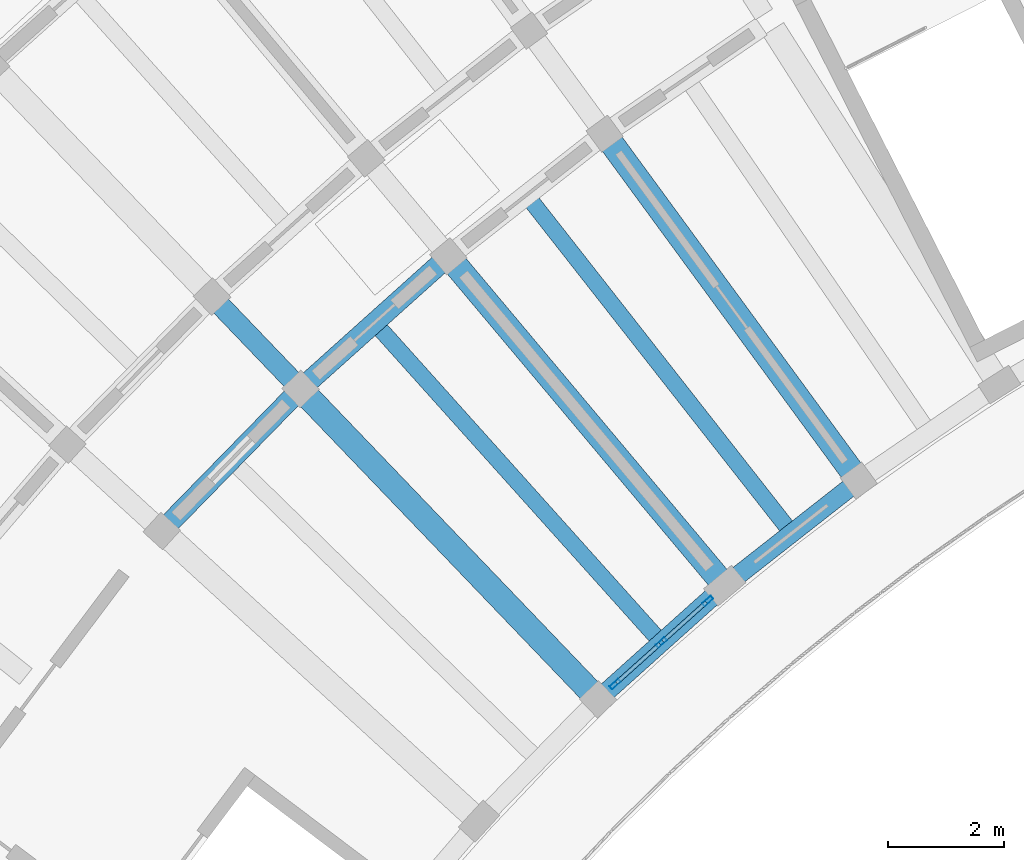
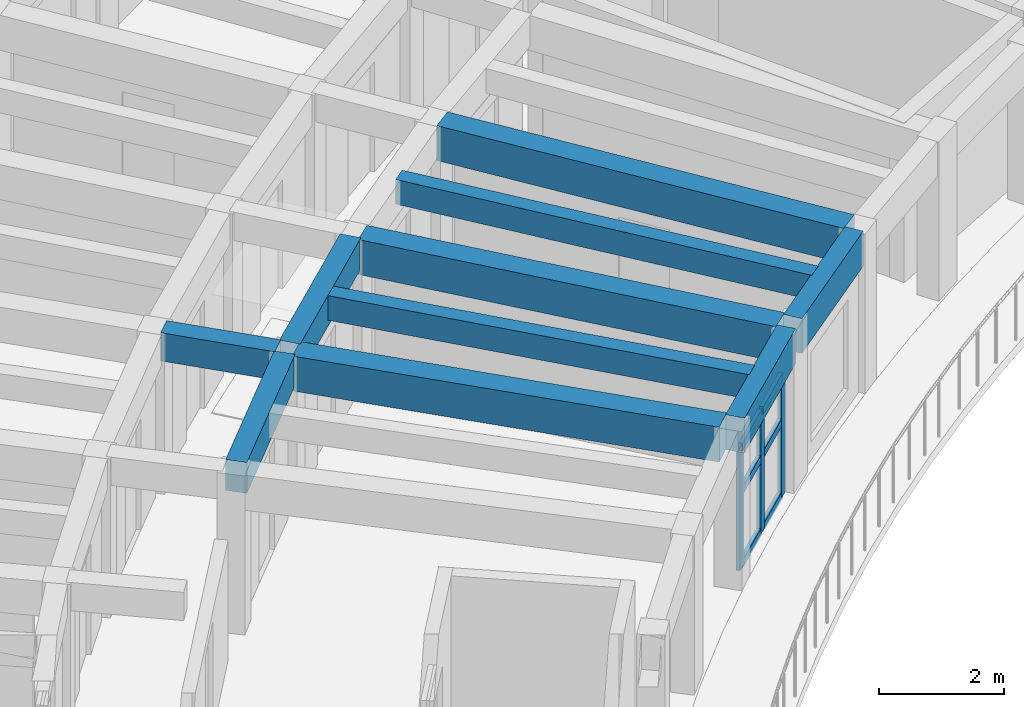
# One storey, part 2 of 9: 10 beams, 9 members, 1 element without a shape of its own.
"""IFC4 building model written with IfcOpenShell, lengths in metres."""

from ifc_helpers import new_model, si_unit, direction, frame, origin, origin_2d, place, context, subcontext, project, spatial, rectangle, hollow_rectangle, extrude, material, material_profile, profile_set, type_object, element, aggregate, save


model = new_model("IFC4")

# Units and contexts
model_context = context("Model", 3, precision=1e-05, world=origin(), true_north=direction((0.0, 1.0)))
body_context = subcontext(model_context, "Body", "Model", "MODEL_VIEW")
ifc_project = project(units=[si_unit("LENGTHUNIT", "METRE"), si_unit("AREAUNIT", "SQUARE_METRE"), si_unit("VOLUMEUNIT", "CUBIC_METRE"), si_unit("PLANEANGLEUNIT", "RADIAN"), si_unit("MASSUNIT", "GRAM", prefix="KILO")], contexts=[model_context])

# Site, building, storey
site_placement = place(None, origin())
site = spatial("IfcSite", under=ifc_project, at=site_placement, CompositionType="ELEMENT")
building_placement = place(site_placement, origin())
building = spatial("IfcBuilding", under=site, at=building_placement, Name="Tanwirah Colonnade Gardens", CompositionType="ELEMENT")
storey_placement = place(building_placement, frame((0.0, 0.0, 49.159912109375)))
storey = spatial("IfcBuildingStorey", under=building, at=storey_placement, Name="L14", CompositionType="ELEMENT", Elevation=49.159912109375)

# Beams
ifc_material_1 = material(Name="Precast concrete C40/50", Category="concrete")
ifc_material_profile_1 = material_profile(ifc_material_1, rectangle(XDim=0.35009765625, YDim=0.550048828125, at=origin_2d()), Name="PC-BM 350x550")
ifc_profile_set_1 = profile_set([ifc_material_profile_1], Name="Precast concrete C40/50")
beam_type_1 = type_object("IfcBeamType", Name="BM-PC350A", PredefinedType="BEAM", material=ifc_profile_set_1)
beam_1_placement = place(storey_placement, frame((29.023193359375, 97.74560546875, 2.8251953125), z_axis=(-0.691913735329, 0.721980181766, 0.0), x_axis=(-0.721980181766, -0.691913735329, 0.0)))
element("IfcBeam", 1, at=beam_1_placement, inside=storey, type_object=beam_type_1, Name="Block A L14 Corridor Tie Beam 10", PredefinedType="BEAM", context=body_context, shape_type="SweptSolid", body=[
    extrude(rectangle(XDim=0.35009765625, YDim=0.550048828125, at=origin_2d()), origin(), (0.0, 0.0, 1.0), 1.900146484375),
])
ifc_material_profile_2 = material_profile(ifc_material_1, rectangle(XDim=0.35009765625, YDim=0.60009765625, at=origin_2d()), Name="PC-BM 350x600")
ifc_profile_set_2 = profile_set([ifc_material_profile_2], Name="Precast concrete C40/50")
beam_type_2 = type_object("IfcBeamType", Name="BM-PC350B", PredefinedType="BEAM", material=ifc_profile_set_2)
beam_2_placement = place(storey_placement, frame((31.559814453125, 99.8193359375, 2.800048828125), z_axis=(-0.744429866059, -0.667700662363, 0.0), x_axis=(0.667700662363, -0.744429866059, 0.0)))
element("IfcBeam", 2, at=beam_2_placement, inside=storey, type_object=beam_type_2, Name="Block A L14 Circumferential Beam 9-R1", PredefinedType="BEAM", context=body_context, shape_type="SweptSolid", body=[
    extrude(rectangle(XDim=0.35009765625, YDim=0.60009765625, at=origin_2d()), origin(), (0.0, 0.0, 1.0), 3.1181640625),
])
beam_3_placement = place(storey_placement, frame((29.02197265625, 97.52978515625, 2.800048828125), z_axis=(-0.698837366631, -0.715280598787, 0.0), x_axis=(0.715280598787, -0.698837366631, 0.0)))
element("IfcBeam", 3, at=beam_3_placement, inside=storey, type_object=beam_type_2, Name="Block A L14 Circumferential Beam 10-R1", PredefinedType="BEAM", context=body_context, shape_type="SweptSolid", body=[
    extrude(rectangle(XDim=0.35009765625, YDim=0.60009765625, at=origin_2d()), origin(), (0.0, 0.0, 1.0), 3.117919921875),
])
ifc_material_2 = material(Name="Precast concrete C45/55", Category="concrete")
ifc_material_profile_3 = material_profile(ifc_material_2, rectangle(XDim=0.419921875, YDim=0.679931640625, at=origin_2d()), Name="PC-BM 420x680")
ifc_profile_set_3 = profile_set([ifc_material_profile_3], Name="Precast concrete C45/55")
beam_type_3 = type_object("IfcBeamType", Name="BM-PC420", PredefinedType="BEAM", material=ifc_profile_set_3)
for number, where, z_axis, x_axis, name in (
    (4, (34.449462890625, 101.907958984375, 2.760009765625), (0.590922322036, -0.80672846071, 0.0), (0.80672846071, 0.590922322036, 0.0), "Block A L14 Inner Radial Precast Girder 8"),
    (5, (31.767822265625, 99.804443359375, 2.760009765625), (0.642798473853, -0.76603532687, 0.0), (0.76603532687, 0.642798473853, 0.0), "Block A L14 Inner Radial Precast Girder 9"),
):
    element("IfcBeam", number, at=place(storey_placement, frame(where, z_axis=z_axis, x_axis=x_axis)), inside=storey, type_object=beam_type_3, Name=name, PredefinedType="BEAM", context=body_context, shape_type="SweptSolid", body=[
        extrude(rectangle(XDim=0.419921875, YDim=0.679931640625, at=origin_2d()), origin(), (0.0, 0.0, 1.0), 7.10009765625),
    ])
beam_4_placement = place(storey_placement, frame((29.230712890625, 97.52880859375, 2.760009765625), z_axis=(0.691867272012, -0.722024707278, 0.0), x_axis=(0.722024707278, 0.691867272012, 0.0)))
element("IfcBeam", 6, at=beam_4_placement, inside=storey, type_object=beam_type_3, Name="Block A L14 Inner Radial Precast Girder 10", PredefinedType="BEAM", context=body_context, shape_type="SweptSolid", body=[
    extrude(rectangle(XDim=0.419921875, YDim=0.679931640625, at=origin_2d()), origin(), (0.0, 0.0, 1.0), 7.099853515625),
])

# Curtain wall, members
ifc_material_3 = material(Name="Bronze-anodised aluminium and solar-control low-E glass", Category="aluminium")
curtain_wall_type = type_object("IfcCurtainWallType", Name="CW-GDN", PredefinedType="NOTDEFINED", material=ifc_material_3)
curtain_wall_placement = place(storey_placement, origin())
curtain_wall = element("IfcCurtainWall", 7, at=curtain_wall_placement, inside=storey, type_object=curtain_wall_type, Name="Curtain Wall CW-A-L14-IN-09", PredefinedType="NOTDEFINED")
ifc_material_4 = material(Name="Bronze-anodised aluminium", Category="aluminium")
ifc_material_profile_4 = material_profile(ifc_material_4, hollow_rectangle(XDim=0.070068359375, YDim=0.199951171875, WallThickness=0.00390625, at=origin_2d()), Name="CW-MUL 70x200x4")
ifc_profile_set_4 = profile_set([ifc_material_profile_4], Name="Bronze-anodised aluminium")
member_type_1 = type_object("IfcMemberType", Name="CWM-70x200", PredefinedType="MULLION", material=ifc_profile_set_4)
member_1_placement = place(storey_placement, frame((36.134033203125, 93.987060546875, 0.0), z_axis=(0.0, 0.0, 1.0), x_axis=(0.667689182798, -0.744440162253, 0.0)))
member_1 = element("IfcMember", 8, at=member_1_placement, type_object=member_type_1, Name="CW-GDN mullion 1", PredefinedType="MULLION", context=body_context, shape_type="SweptSolid", body=[
    extrude(hollow_rectangle(XDim=0.070068359375, YDim=0.199951171875, WallThickness=0.00390625, at=origin_2d()), origin(), (0.0, 0.0, 1.0), 2.35498046875),
])
member_2_placement = place(storey_placement, frame((35.33740234375, 93.2724609375, 0.0), z_axis=(0.0, 0.0, 1.0), x_axis=(0.667689182798, -0.744440162253, 0.0)))
member_2 = element("IfcMember", 9, at=member_2_placement, type_object=member_type_1, Name="CW-GDN mullion 2", PredefinedType="MULLION", context=body_context, shape_type="SweptSolid", body=[
    extrude(hollow_rectangle(XDim=0.070068359375, YDim=0.199951171875, WallThickness=0.00390625, at=origin_2d()), origin(), (0.0, 0.0, 1.0), 2.35498046875),
])
member_3_placement = place(storey_placement, frame((34.540771484375, 92.557861328125, 0.0), z_axis=(0.0, 0.0, 1.0), x_axis=(0.667689182798, -0.744440162253, 0.0)))
member_3 = element("IfcMember", 10, at=member_3_placement, type_object=member_type_1, Name="CW-GDN mullion 3", PredefinedType="MULLION", context=body_context, shape_type="SweptSolid", body=[
    extrude(hollow_rectangle(XDim=0.070068359375, YDim=0.199951171875, WallThickness=0.00390625, at=origin_2d()), origin(), (0.0, 0.0, 1.0), 2.35498046875),
])
ifc_material_profile_5 = material_profile(ifc_material_4, hollow_rectangle(XDim=0.070068359375, YDim=0.14990234375, WallThickness=0.00390625, at=origin_2d()), Name="CW-TRN 70x150x4")
ifc_profile_set_5 = profile_set([ifc_material_profile_5], Name="Bronze-anodised aluminium")
member_type_2 = type_object("IfcMemberType", Name="CWT-70x150", PredefinedType="USERDEFINED", material=ifc_profile_set_5)
member_4_placement = place(storey_placement, frame((36.10791015625, 93.963623046875, 0.03515625), z_axis=(-0.744397854763, -0.667736350534, 0.0), x_axis=(0.667736350534, -0.744397854763, 0.0)))
member_4 = element("IfcMember", 11, at=member_4_placement, type_object=member_type_2, Name="CW-GDN transom 1.1", ObjectType="TRANSOM", PredefinedType="USERDEFINED", context=body_context, shape_type="SweptSolid", body=[
    extrude(hollow_rectangle(XDim=0.070068359375, YDim=0.14990234375, WallThickness=0.00390625, at=origin_2d()), origin(), (0.0, 0.0, 1.0), 1.0),
])
member_5_placement = place(storey_placement, frame((36.10791015625, 93.963623046875, 1.460205078125), z_axis=(-0.744397854763, -0.667736350534, 0.0), x_axis=(0.667736350534, -0.744397854763, 0.0)))
member_5 = element("IfcMember", 12, at=member_5_placement, type_object=member_type_2, Name="CW-GDN transom 1.2", ObjectType="TRANSOM", PredefinedType="USERDEFINED", context=body_context, shape_type="SweptSolid", body=[
    extrude(hollow_rectangle(XDim=0.070068359375, YDim=0.14990234375, WallThickness=0.00390625, at=origin_2d()), origin(), (0.0, 0.0, 1.0), 1.0),
])
member_6_placement = place(storey_placement, frame((36.10791015625, 93.963623046875, 2.320068359375), z_axis=(-0.744397854763, -0.667736350534, 0.0), x_axis=(0.667736350534, -0.744397854763, 0.0)))
member_6 = element("IfcMember", 13, at=member_6_placement, type_object=member_type_2, Name="CW-GDN transom 1.3", ObjectType="TRANSOM", PredefinedType="USERDEFINED", context=body_context, shape_type="SweptSolid", body=[
    extrude(hollow_rectangle(XDim=0.070068359375, YDim=0.14990234375, WallThickness=0.00390625, at=origin_2d()), origin(), (0.0, 0.0, 1.0), 1.0),
])
member_7_placement = place(storey_placement, frame((35.311279296875, 93.2490234375, 0.03515625), z_axis=(-0.744397854763, -0.667736350534, 0.0), x_axis=(0.667736350534, -0.744397854763, 0.0)))
member_7 = element("IfcMember", 14, at=member_7_placement, type_object=member_type_2, Name="CW-GDN transom 2.1", ObjectType="TRANSOM", PredefinedType="USERDEFINED", context=body_context, shape_type="SweptSolid", body=[
    extrude(hollow_rectangle(XDim=0.070068359375, YDim=0.14990234375, WallThickness=0.00390625, at=origin_2d()), origin(), (0.0, 0.0, 1.0), 1.0),
])
member_8_placement = place(storey_placement, frame((35.311279296875, 93.2490234375, 1.460205078125), z_axis=(-0.744397854763, -0.667736350534, 0.0), x_axis=(0.667736350534, -0.744397854763, 0.0)))
member_8 = element("IfcMember", 15, at=member_8_placement, type_object=member_type_2, Name="CW-GDN transom 2.2", ObjectType="TRANSOM", PredefinedType="USERDEFINED", context=body_context, shape_type="SweptSolid", body=[
    extrude(hollow_rectangle(XDim=0.070068359375, YDim=0.14990234375, WallThickness=0.00390625, at=origin_2d()), origin(), (0.0, 0.0, 1.0), 1.0),
])
member_9_placement = place(storey_placement, frame((35.311279296875, 93.2490234375, 2.320068359375), z_axis=(-0.744397854763, -0.667736350534, 0.0), x_axis=(0.667736350534, -0.744397854763, 0.0)))
member_9 = element("IfcMember", 16, at=member_9_placement, type_object=member_type_2, Name="CW-GDN transom 2.3", ObjectType="TRANSOM", PredefinedType="USERDEFINED", context=body_context, shape_type="SweptSolid", body=[
    extrude(hollow_rectangle(XDim=0.070068359375, YDim=0.14990234375, WallThickness=0.00390625, at=origin_2d()), origin(), (0.0, 0.0, 1.0), 1.0),
])
aggregate(curtain_wall, [member_1, member_2, member_3, member_4, member_5, member_6, member_7, member_8, member_9])

# Beams
ifc_material_profile_6 = material_profile(ifc_material_1, rectangle(XDim=0.280029296875, YDim=0.47998046875, at=origin_2d()), Name="PC-JST 280x480")
ifc_profile_set_6 = profile_set([ifc_material_profile_6], Name="Precast concrete C40/50")
beam_type_4 = type_object("IfcBeamType", Name="JST-PC280", PredefinedType="JOIST", material=ifc_profile_set_6)
beam_5_placement = place(storey_placement, frame((37.491943359375, 95.268310546875, 2.860107421875), z_axis=(-0.617202438917, 0.786804390808, 0.0), x_axis=(-0.786804390808, -0.617202438917, 0.0)))
element("IfcBeam", 17, at=beam_5_placement, inside=storey, type_object=beam_type_4, Name="Block A L14 Inner Precast Floor Joist 8", PredefinedType="JOIST", context=body_context, shape_type="SweptSolid", body=[
    extrude(rectangle(XDim=0.280029296875, YDim=0.47998046875, at=origin_2d()), origin(), (0.0, 0.0, 1.0), 7.159912109375),
])
beam_6_placement = place(storey_placement, frame((35.2412109375, 93.379638671875, 2.860107421875), z_axis=(-0.667688404274, 0.744440860511, 0.0), x_axis=(-0.744440860511, -0.667688404274, 0.0)))
element("IfcBeam", 18, at=beam_6_placement, inside=storey, type_object=beam_type_4, Name="Block A L14 Inner Precast Floor Joist 9", PredefinedType="JOIST", context=body_context, shape_type="SweptSolid", body=[
    extrude(rectangle(XDim=0.280029296875, YDim=0.47998046875, at=origin_2d()), origin(), (0.0, 0.0, 1.0), 7.16015625),
])
ifc_material_profile_7 = material_profile(ifc_material_2, rectangle(XDim=0.320068359375, YDim=0.679931640625, at=origin_2d()), Name="PC-SP 320x680")
ifc_profile_set_7 = profile_set([ifc_material_profile_7], Name="Precast concrete C45/55")
beam_type_5 = type_object("IfcBeamType", Name="SP-PC320", PredefinedType="SPANDREL", material=ifc_profile_set_7)
for number, where, z_axis, x_axis, name in (
    (19, (38.61572265625, 95.966552734375, 2.760009765625), (-0.786836625031, -0.617161344795, 0.0), (0.617161344795, -0.786836625031, 0.0), "Block A L14 Circumferential Beam 8-R0"),
    (20, (36.31640625, 94.150634765625, 2.760009765625), (-0.744400790288, -0.667733077972, 0.0), (0.667733077972, -0.744400790288, 0.0), "Block A L14 Circumferential Beam 9-R0"),
):
    element("IfcBeam", number, at=place(storey_placement, frame(where, z_axis=z_axis, x_axis=x_axis)), inside=storey, type_object=beam_type_5, Name=name, PredefinedType="SPANDREL", context=body_context, shape_type="SweptSolid", body=[
        extrude(rectangle(XDim=0.320068359375, YDim=0.679931640625, at=origin_2d()), origin(), (0.0, 0.0, 1.0), 2.63037109375),
    ])

save(model, "model.ifc")
